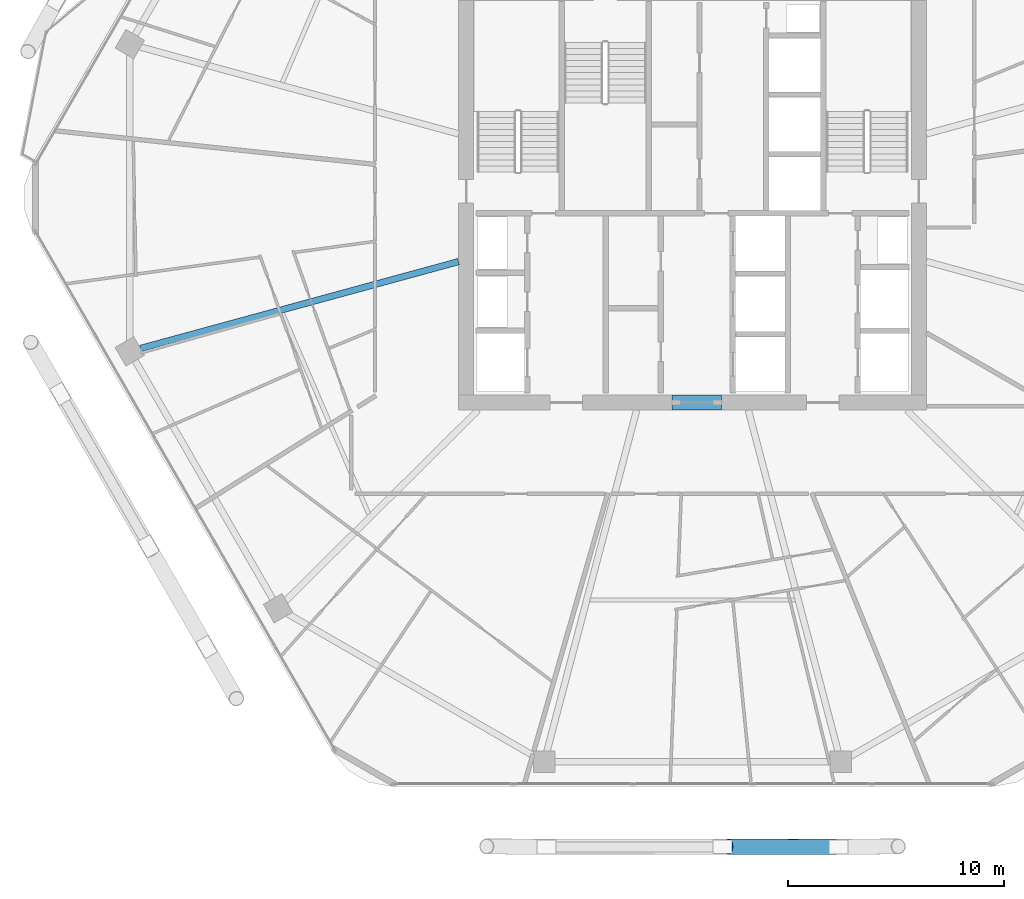
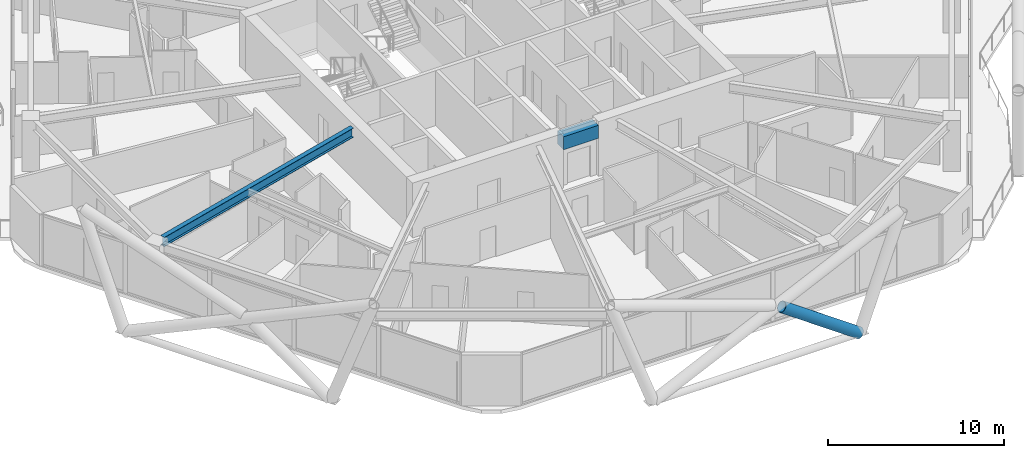
# One storey, part 6 of 28: 2 beams, 1 member.
"""IFC4 building model written with IfcOpenShell, lengths in metres."""

from ifc_helpers import new_model, si_unit, direction, frame, origin, origin_2d, place, context, subcontext, project, spatial, rectangle, hollow_circle, i_section, extrude, material, material_profile, profile_set, type_object, element, save


model = new_model("IFC4")

# Units and contexts
model_context = context("Model", 3, precision=1e-05, world=origin(), true_north=direction((0.0, 1.0)))
body_context = subcontext(model_context, "Body", "Model", "MODEL_VIEW")
ifc_project = project(units=[si_unit("LENGTHUNIT", "METRE"), si_unit("AREAUNIT", "SQUARE_METRE"), si_unit("VOLUMEUNIT", "CUBIC_METRE"), si_unit("PLANEANGLEUNIT", "RADIAN"), si_unit("MASSUNIT", "GRAM", prefix="KILO")], contexts=[model_context])

# Site, building, storey
site_placement = place(None, origin())
site = spatial("IfcSite", under=ifc_project, at=site_placement, CompositionType="ELEMENT")
building_placement = place(site_placement, origin())
building = spatial("IfcBuilding", under=site, at=building_placement, Name="Zuhravey Tower", CompositionType="ELEMENT")
storey_placement = place(building_placement, frame((0.0, 0.0, 154.199951171875)))
storey = spatial("IfcBuildingStorey", under=building, at=storey_placement, Name="L38", CompositionType="ELEMENT", Elevation=154.199951171875)

# Beam
ifc_material_1 = material(Name="Concrete C60/75", Category="concrete")
ifc_material_profile_1 = material_profile(ifc_material_1, rectangle(XDim=0.699951171875, YDim=0.89990234375, at=origin_2d()), Name="RC-700x900")
ifc_profile_set_1 = profile_set([ifc_material_profile_1], Name="Concrete C60/75")
beam_type_1 = type_object("IfcBeamType", Name="Core Coupling Beam RC700x900", PredefinedType="LINTEL", material=ifc_profile_set_1)
beam_1_placement = place(storey_placement, frame((35.052001953125, 22.5, 3.10009765625), z_axis=(1.0, 0.0, 0.0), x_axis=(0.0, 1.0, 0.0)))
element("IfcBeam", 1, at=beam_1_placement, inside=storey, type_object=beam_type_1, Name="L38 CB1 BM-L38-CB-S", PredefinedType="LINTEL", context=body_context, shape_type="SweptSolid", body=[
    extrude(rectangle(XDim=0.699951171875, YDim=0.89990234375, at=origin_2d()), origin(), (0.0, 0.0, 1.0), 2.2958984375),
])

# Member
ifc_material_2 = material(Name="Steel SM460", Category="steel")
ifc_material_profile_2 = material_profile(ifc_material_2, hollow_circle(Radius=0.355712890625, WallThickness=0.031982421875, at=origin_2d()), Name="CHS-711.2x32")
ifc_profile_set_2 = profile_set([ifc_material_profile_2], Name="Steel SM460")
member_type = type_object("IfcMemberType", Name="Exoskeleton Zone 2 Diagrid CHS711x32", PredefinedType="BRACE", material=ifc_profile_set_2)
member_placement = place(storey_placement, frame((42.7421875, 1.876953125, -0.4365234375), z_axis=(-0.817518194933, 0.002282031731, 0.575898249073), x_axis=(-0.00279140312, -0.999996104027, 0.0)))
element("IfcMember", 2, at=member_placement, inside=storey, type_object=member_type, Name="L38 Face 5 Split Diagrid Brace 3A", PredefinedType="BRACE", context=body_context, shape_type="SweptSolid", body=[
    extrude(hollow_circle(Radius=0.355712890625, WallThickness=0.031982421875, at=origin_2d()), origin(), (0.0, 0.0, 1.0), 6.205078125),
])

# Beam
ifc_material_3 = material(Name="Steel SM355", Category="steel")
ifc_material_profile_3 = material_profile(ifc_material_3, i_section(OverallWidth=0.300048828125, OverallDepth=0.64990234375, WebThickness=0.012939453125, FlangeThickness=0.02197265625, at=origin_2d()), Name="H-650x300x13x22")
ifc_profile_set_3 = profile_set([ifc_material_profile_3], Name="Steel SM355")
beam_type_2 = type_object("IfcBeamType", Name="Radial Primary Girder H650x300", PredefinedType="BEAM", material=ifc_profile_set_3)
beam_2_placement = place(storey_placement, frame((25.14697265625, 29.03759765625, 3.22509765625), z_axis=(-0.964701601771, -0.263345437667, 0.0), x_axis=(0.263345437667, -0.964701601771, 0.0)))
element("IfcBeam", 3, at=beam_2_placement, inside=storey, type_object=beam_type_2, Name="L38 RG2 BM-L38-RAD-07", PredefinedType="BEAM", context=body_context, shape_type="SweptSolid", body=[
    extrude(i_section(OverallWidth=0.300048828125, OverallDepth=0.64990234375, WebThickness=0.012939453125, FlangeThickness=0.02197265625, at=origin_2d()), origin(), (0.0, 0.0, 1.0), 15.309814453125),
])

save(model, "model.ifc")
